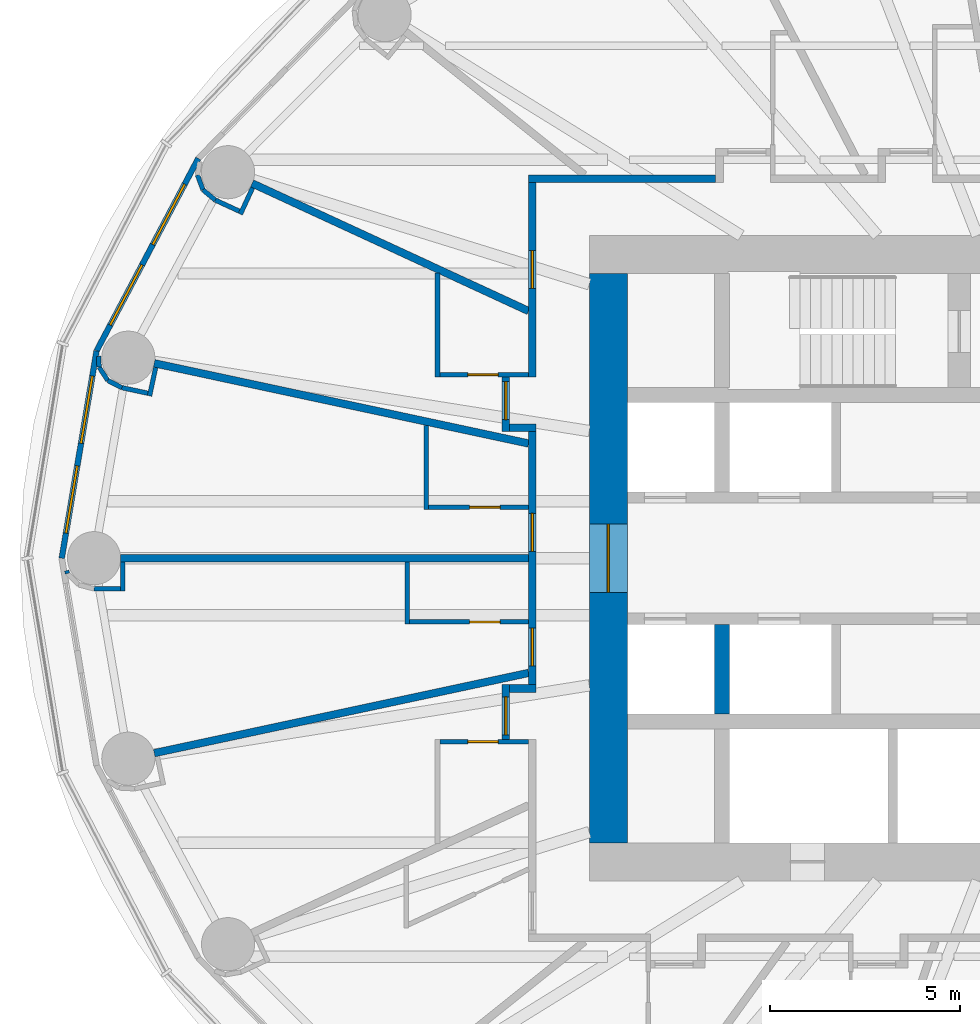
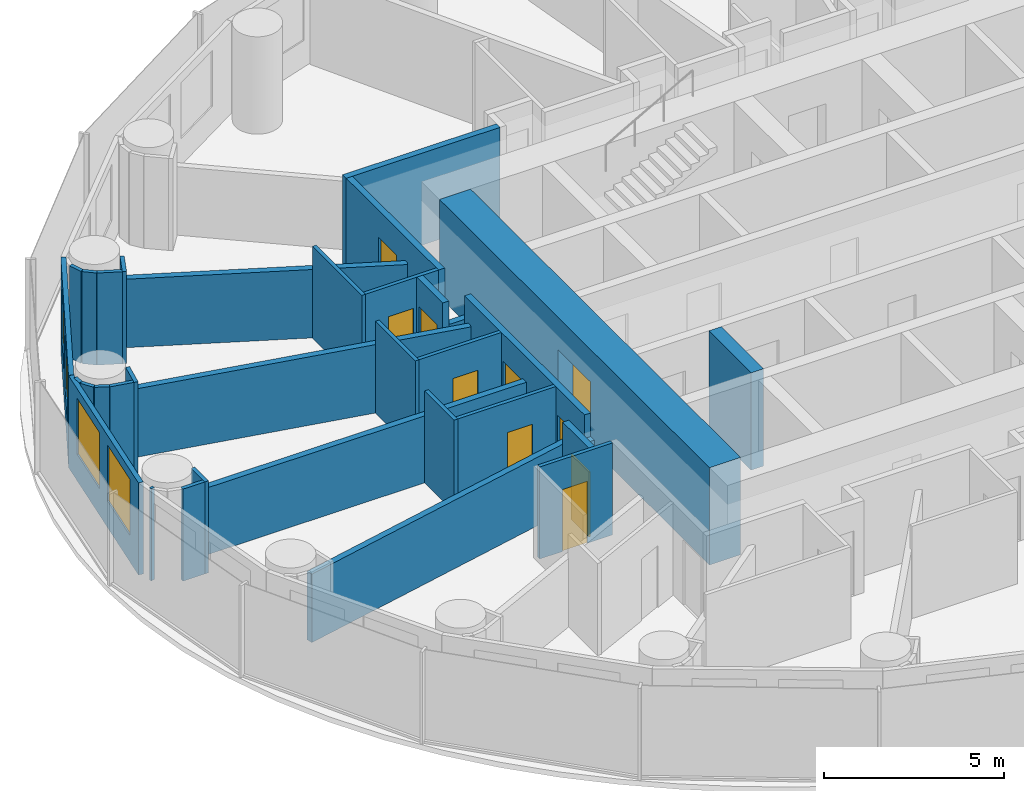
# One storey, part 8 of 14: 34 walls, 10 doors, 4 windows, 14 openings.
"""IFC4 building model written with IfcOpenShell, lengths in metres."""

from ifc_helpers import new_model, si_unit, direction, frame, frame_2d, origin, place, context, subcontext, project, spatial, rectangle, extrude, material, layer, layer_set, type_object, element, fill, save


model = new_model("IFC4")

# Units and contexts
model_context = context("Model", 3, precision=1e-05, world=origin(), true_north=direction((0.0, 1.0)))
body_context = subcontext(model_context, "Body", "Model", "MODEL_VIEW")
ifc_project = project(units=[si_unit("LENGTHUNIT", "METRE"), si_unit("AREAUNIT", "SQUARE_METRE"), si_unit("VOLUMEUNIT", "CUBIC_METRE"), si_unit("PLANEANGLEUNIT", "RADIAN"), si_unit("MASSUNIT", "GRAM", prefix="KILO")], contexts=[model_context])

# Site, building, storey
site_placement = place(None, origin())
site = spatial("IfcSite", under=ifc_project, at=site_placement, CompositionType="ELEMENT")
building_placement = place(site_placement, origin())
building = spatial("IfcBuilding", under=site, at=building_placement, Name="Hankou Lantern Tower", CompositionType="ELEMENT")
storey_placement = place(building_placement, frame((0.0, 0.0, 54.0)))
storey = spatial("IfcBuildingStorey", under=building, at=storey_placement, Name="L12", CompositionType="ELEMENT", Elevation=54.0)

# Wall, opening, door
ifc_material_1 = material(Name="Concrete C60", Category="concrete")
ifc_layer_1 = layer(ifc_material_1, 1.0)
ifc_layer_set_1 = layer_set([ifc_layer_1], Name="Concrete C60")
wall_type_1 = type_object("IfcWallType", Name="CW1 CORE WALL 1000", PredefinedType="SHEAR", material=ifc_layer_set_1)
wall_1_placement = place(storey_placement, frame((-12.0, 7.5, 0.0), z_axis=(0.0, 0.0, 1.0), x_axis=(0.0, -1.0, 0.0)))
wall_1 = element("IfcWall", 1, at=wall_1_placement, inside=storey, type_object=wall_type_1, Name="Core wall west L12", PredefinedType="SHEAR", context=body_context, shape_type="SweptSolid", body=[
    extrude(rectangle(XDim=15.0, YDim=1.0, at=frame_2d((7.5, 0.0))), origin(), (0.0, 0.0, 1.0), 3.300048828125),
])
opening_1_placement = place(wall_1_placement, frame((6.60009765625, 0.0, 0.0)))
opening_1 = element("IfcOpeningElement", 2, at=opening_1_placement, cuts=wall_1, Name="Opening D6", PredefinedType="OPENING", context=body_context, shape_type="SweptSolid", body=[
    extrude(rectangle(XDim=1.800048828125, YDim=2.199951171875, at=frame_2d((0.89990234375, 1.10009765625))), frame((0.0, 0.510009765625, 0.0), z_axis=(0.0, -1.0, 0.0), x_axis=(1.0, 0.0, 0.0)), (0.0, 0.0, 1.0), 1.02001953125),
])
ifc_material_2 = material(Name="Steel door leaf", Category="steel")
door_type_1 = type_object("IfcDoorType", Name="D6 LIFT LOBBY DOOR 1800X2200", OperationType="DOUBLE_DOOR_DOUBLE_SWING", PredefinedType="DOOR", material=ifc_material_2)
door_1_placement = place(opening_1_placement, origin())
door_1 = element("IfcDoor", 3, at=door_1_placement, inside=storey, type_object=door_type_1, Name="Lift lobby west door", OperationType="DOUBLE_DOOR_DOUBLE_SWING", OverallHeight=2.199951171875, OverallWidth=1.800048828125, PredefinedType="DOOR", context=body_context, shape_type="SweptSolid", body=[
    extrude(rectangle(XDim=1.800048828125, YDim=2.199951171875, at=frame_2d((0.89990234375, 1.10009765625))), frame((0.0, 0.02490234375, 0.0), z_axis=(0.0, -1.0, 0.0), x_axis=(1.0, 0.0, 0.0)), (0.0, 0.0, 1.0), 0.050048828125),
])
fill(opening_1, door_1)

# Wall
ifc_material_3 = material(Name="Concrete C60", Category="concrete")
ifc_layer_2 = layer(ifc_material_3, 0.39990234375)
ifc_layer_set_2 = layer_set([ifc_layer_2], Name="Concrete C60")
wall_type_2 = type_object("IfcWallType", Name="CW4 CORE CROSS WALL 400", PredefinedType="SHEAR", material=ifc_layer_set_2)
wall_2_placement = place(storey_placement, frame((-9.0, -4.10009765625, 0.0), z_axis=(0.0, 0.0, 1.0), x_axis=(0.0, 1.0, 0.0)))
element("IfcWall", 4, at=wall_2_placement, inside=storey, type_object=wall_type_2, Name="Core strip wall L12", PredefinedType="SHEAR", context=body_context, shape_type="SweptSolid", body=[
    extrude(rectangle(XDim=2.35009765625, YDim=0.39990234375, at=frame_2d((1.175048828125, 0.0))), origin(), (0.0, 0.0, 1.0), 3.300048828125),
])

# Wall, openings, windows
ifc_material_4 = material(Name="Aluminium spandrel panel on steel studs", Category="steel")
ifc_layer_3 = layer(ifc_material_4, 0.14990234375)
ifc_layer_set_3 = layer_set([ifc_layer_3], Name="Aluminium spandrel panel on steel studs")
wall_type_3 = type_object("IfcWallType", Name="EW1 INNER SKIN WALL 150", PredefinedType="ELEMENTEDWALL", material=ifc_layer_set_3)
wall_3_placement = place(storey_placement, frame((-22.802734375, 10.5322265625, 0.0), z_axis=(0.0, 0.0, 1.0), x_axis=(-0.467296867008, -0.884100468321, 0.0)))
wall_3 = element("IfcWall", 5, at=wall_3_placement, inside=storey, type_object=wall_type_3, Name="Inner skin R11-R12 L12", PredefinedType="ELEMENTEDWALL", context=body_context, shape_type="SweptSolid", body=[
    extrude(rectangle(XDim=5.734375, YDim=0.14990234375, at=frame_2d((2.8671875, 0.0))), origin(), (0.0, 0.0, 1.0), 3.1201171875),
])
opening_2_placement = place(wall_3_placement, frame((0.76708984375, 0.0, 0.89990234375)))
opening_2 = element("IfcOpeningElement", 6, at=opening_2_placement, cuts=wall_3, Name="Opening W1", PredefinedType="OPENING", context=body_context, shape_type="SweptSolid", body=[
    extrude(rectangle(XDim=1.800048828125, YDim=1.89990234375, at=frame_2d((0.89990234375, 0.949951171875))), frame((0.0, 0.0849609375, 0.0), z_axis=(0.0, -1.0, 0.0), x_axis=(1.0, 0.0, 0.0)), (0.0, 0.0, 1.0), 0.169921875),
])
opening_3_placement = place(wall_3_placement, frame((3.167236328125, 0.0, 0.89990234375)))
opening_3 = element("IfcOpeningElement", 7, at=opening_3_placement, cuts=wall_3, Name="Opening W1", PredefinedType="OPENING", context=body_context, shape_type="SweptSolid", body=[
    extrude(rectangle(XDim=1.800048828125, YDim=1.89990234375, at=frame_2d((0.89990234375, 0.949951171875))), frame((0.0, 0.0849609375, 0.0), z_axis=(0.0, -1.0, 0.0), x_axis=(1.0, 0.0, 0.0)), (0.0, 0.0, 1.0), 0.169921875),
])
ifc_material_5 = material(Name="Aluminium framed double glazed window", Category="aluminium")
window_type = type_object("IfcWindowType", Name="W1 GUEST ROOM WINDOW 1800X1900", PartitioningType="DOUBLE_PANEL_VERTICAL", PredefinedType="WINDOW", material=ifc_material_5)
window_1_placement = place(opening_2_placement, origin())
window_1 = element("IfcWindow", 8, at=window_1_placement, inside=storey, type_object=window_type, Name="Window R11.1 L12", OverallHeight=1.89990234375, OverallWidth=1.800048828125, PartitioningType="SINGLE_PANEL", PredefinedType="WINDOW", context=body_context, shape_type="SweptSolid", body=[
    extrude(rectangle(XDim=1.800048828125, YDim=1.89990234375, at=frame_2d((0.89990234375, 0.949951171875))), frame((0.0, 0.030029296875, 0.0), z_axis=(0.0, -1.0, 0.0), x_axis=(1.0, 0.0, 0.0)), (0.0, 0.0, 1.0), 0.06005859375),
])
fill(opening_2, window_1)
window_2_placement = place(opening_3_placement, origin())
window_2 = element("IfcWindow", 9, at=window_2_placement, inside=storey, type_object=window_type, Name="Window R11.2 L12", OverallHeight=1.89990234375, OverallWidth=1.800048828125, PartitioningType="SINGLE_PANEL", PredefinedType="WINDOW", context=body_context, shape_type="SweptSolid", body=[
    extrude(rectangle(XDim=1.800048828125, YDim=1.89990234375, at=frame_2d((0.89990234375, 0.949951171875))), frame((0.0, 0.030029296875, 0.0), z_axis=(0.0, -1.0, 0.0), x_axis=(1.0, 0.0, 0.0)), (0.0, 0.0, 1.0), 0.06005859375),
])
fill(opening_3, window_2)

wall_4_placement = place(storey_placement, frame((-25.482421875, 5.46240234375, 0.0), z_axis=(0.0, 0.0, 1.0), x_axis=(-0.165642551694, -0.986185857264, 0.0)))
wall_4 = element("IfcWall", 10, at=wall_4_placement, inside=storey, type_object=wall_type_3, Name="Inner skin R12-R13 L12", PredefinedType="ELEMENTEDWALL", context=body_context, shape_type="SweptSolid", body=[
    extrude(rectangle(XDim=5.538818359375, YDim=0.14990234375, at=frame_2d((2.76953125, 0.0))), origin(), (0.0, 0.0, 1.0), 3.1201171875),
])
opening_4_placement = place(wall_4_placement, frame((0.66943359375, 0.0, 0.89990234375)))
opening_4 = element("IfcOpeningElement", 11, at=opening_4_placement, cuts=wall_4, Name="Opening W1", PredefinedType="OPENING", context=body_context, shape_type="SweptSolid", body=[
    extrude(rectangle(XDim=1.800048828125, YDim=1.89990234375, at=frame_2d((0.89990234375, 0.949951171875))), frame((0.0, 0.0849609375, 0.0), z_axis=(0.0, -1.0, 0.0), x_axis=(1.0, 0.0, 0.0)), (0.0, 0.0, 1.0), 0.169921875),
])
opening_5_placement = place(wall_4_placement, frame((3.069580078125, 0.0, 0.89990234375)))
opening_5 = element("IfcOpeningElement", 12, at=opening_5_placement, cuts=wall_4, Name="Opening W1", PredefinedType="OPENING", context=body_context, shape_type="SweptSolid", body=[
    extrude(rectangle(XDim=1.800048828125, YDim=1.89990234375, at=frame_2d((0.89990234375, 0.949951171875))), frame((0.0, 0.0849609375, 0.0), z_axis=(0.0, -1.0, 0.0), x_axis=(1.0, 0.0, 0.0)), (0.0, 0.0, 1.0), 0.169921875),
])
window_3_placement = place(opening_4_placement, origin())
window_3 = element("IfcWindow", 13, at=window_3_placement, inside=storey, type_object=window_type, Name="Window R12.1 L12", OverallHeight=1.89990234375, OverallWidth=1.800048828125, PartitioningType="SINGLE_PANEL", PredefinedType="WINDOW", context=body_context, shape_type="SweptSolid", body=[
    extrude(rectangle(XDim=1.800048828125, YDim=1.89990234375, at=frame_2d((0.89990234375, 0.949951171875))), frame((0.0, 0.030029296875, 0.0), z_axis=(0.0, -1.0, 0.0), x_axis=(1.0, 0.0, 0.0)), (0.0, 0.0, 1.0), 0.06005859375),
])
fill(opening_4, window_3)
window_4_placement = place(opening_5_placement, origin())
window_4 = element("IfcWindow", 14, at=window_4_placement, inside=storey, type_object=window_type, Name="Window R12.2 L12", OverallHeight=1.89990234375, OverallWidth=1.800048828125, PartitioningType="SINGLE_PANEL", PredefinedType="WINDOW", context=body_context, shape_type="SweptSolid", body=[
    extrude(rectangle(XDim=1.800048828125, YDim=1.89990234375, at=frame_2d((0.89990234375, 0.949951171875))), frame((0.0, 0.030029296875, 0.0), z_axis=(0.0, -1.0, 0.0), x_axis=(1.0, 0.0, 0.0)), (0.0, 0.0, 1.0), 0.06005859375),
])
fill(opening_5, window_4)

# Walls
ifc_material_6 = material(Name="Masonry lightweight concrete block", Category="masonry")
ifc_layer_4 = layer(ifc_material_6, 0.199951171875)
ifc_layer_set_4 = layer_set([ifc_layer_4], Name="Masonry lightweight concrete block")
wall_type_4 = type_object("IfcWallType", Name="IW1 GUEST ROOM PARTY WALL 200", PredefinedType="PARTITIONING", material=ifc_layer_set_4)
wall_5_placement = place(storey_placement, frame((-14.10009765625, 3.0224609375, 0.0), z_axis=(0.0, 0.0, 1.0), x_axis=(-0.977790014929, 0.209586943072, 0.0)))
element("IfcWall", 15, at=wall_5_placement, inside=storey, type_object=wall_type_4, Name="Party wall R12", PredefinedType="PARTITIONING", context=body_context, shape_type="SweptSolid", body=[
    extrude(rectangle(XDim=10.086669921875, YDim=0.199951171875, at=frame_2d((5.04345703125, 0.0))), origin(), (0.0, 0.0, 1.0), 2.320068359375),
])
wall_6_placement = place(storey_placement, frame((-14.10009765625, 0.0, 0.0), z_axis=(0.0, 0.0, 1.0), x_axis=(-1.0, 0.0, 0.0)))
element("IfcWall", 16, at=wall_6_placement, inside=storey, type_object=wall_type_4, Name="Party wall R13", PredefinedType="PARTITIONING", context=body_context, shape_type="SweptSolid", body=[
    extrude(rectangle(XDim=10.75, YDim=0.199951171875, at=frame_2d((5.375, 0.0))), origin(), (0.0, 0.0, 1.0), 2.27001953125),
])
wall_7_placement = place(storey_placement, frame((-14.10009765625, -3.0224609375, 0.0), z_axis=(0.0, 0.0, 1.0), x_axis=(-0.977790014929, -0.209586943072, 0.0)))
element("IfcWall", 17, at=wall_7_placement, inside=storey, type_object=wall_type_4, Name="Party wall R14", PredefinedType="PARTITIONING", context=body_context, shape_type="SweptSolid", body=[
    extrude(rectangle(XDim=10.086669921875, YDim=0.199951171875, at=frame_2d((5.04345703125, 0.0))), origin(), (0.0, 0.0, 1.0), 2.320068359375),
])

# Wall, opening, door
ifc_material_7 = material(Name="Masonry lightweight concrete block", Category="masonry")
ifc_layer_5 = layer(ifc_material_7, 0.199951171875)
ifc_layer_set_5 = layer_set([ifc_layer_5], Name="Masonry lightweight concrete block")
wall_type_5 = type_object("IfcWallType", Name="IW2 CORRIDOR WALL 200", PredefinedType="PARTITIONING", material=ifc_layer_set_5)
wall_8_placement = place(storey_placement, frame((-14.699951171875, 4.7724609375, 0.0), z_axis=(0.0, 0.0, 1.0), x_axis=(0.0, -1.0, 0.0)))
wall_8 = element("IfcWall", 18, at=wall_8_placement, inside=storey, type_object=wall_type_5, Name="Corridor recess wall 1207 back", PredefinedType="PARTITIONING", context=body_context, shape_type="SweptSolid", body=[
    extrude(rectangle(XDim=1.43994140625, YDim=0.199951171875, at=frame_2d((0.719970703125, 0.0))), origin(), (0.0, 0.0, 1.0), 3.1201171875),
])
opening_6_placement = place(wall_8_placement, frame((0.1201171875, 0.0, 0.0)))
opening_6 = element("IfcOpeningElement", 19, at=opening_6_placement, cuts=wall_8, Name="Opening D1", PredefinedType="OPENING", context=body_context, shape_type="SweptSolid", body=[
    extrude(rectangle(XDim=1.0, YDim=2.199951171875, at=frame_2d((0.5, 1.10009765625))), frame((0.0, 0.10986328125, 0.0), z_axis=(0.0, -1.0, 0.0), x_axis=(1.0, 0.0, 0.0)), (0.0, 0.0, 1.0), 0.219970703125),
])
ifc_material_8 = material(Name="Steel door leaf", Category="steel")
door_type_2 = type_object("IfcDoorType", Name="D1 GUEST ROOM DOOR 1000X2200", OperationType="SINGLE_SWING_LEFT", PredefinedType="DOOR", material=ifc_material_8)
door_2_placement = place(opening_6_placement, origin())
door_2 = element("IfcDoor", 20, at=door_2_placement, inside=storey, type_object=door_type_2, Name="Guest room door 1207", OperationType="SINGLE_SWING_LEFT", OverallHeight=2.199951171875, OverallWidth=1.0, PredefinedType="DOOR", context=body_context, shape_type="SweptSolid", body=[
    extrude(rectangle(XDim=1.0, YDim=2.199951171875, at=frame_2d((0.5, 1.10009765625))), frame((0.0, 0.02490234375, 0.0), z_axis=(0.0, -1.0, 0.0), x_axis=(1.0, 0.0, 0.0)), (0.0, 0.0, 1.0), 0.050048828125),
])
fill(opening_6, door_2)

# Wall
wall_9_placement = place(storey_placement, frame((-13.89990234375, 3.4326171875, 0.0), z_axis=(0.0, 0.0, 1.0), x_axis=(-1.0, 0.0, 0.0)))
element("IfcWall", 21, at=wall_9_placement, inside=storey, type_object=wall_type_5, Name="Corridor recess wall 1207 side", PredefinedType="PARTITIONING", context=body_context, shape_type="SweptSolid", body=[
    extrude(rectangle(XDim=0.7001953125, YDim=0.199951171875, at=frame_2d((0.35009765625, 0.0))), origin(), (0.0, 0.0, 1.0), 2.320068359375),
])

# Wall, opening, door
wall_10_placement = place(storey_placement, frame((-14.699951171875, -3.33251953125, 0.0), z_axis=(0.0, 0.0, 1.0), x_axis=(0.0, -1.0, 0.0)))
wall_10 = element("IfcWall", 22, at=wall_10_placement, inside=storey, type_object=wall_type_5, Name="Corridor recess wall 1210 back", PredefinedType="PARTITIONING", context=body_context, shape_type="SweptSolid", body=[
    extrude(rectangle(XDim=1.43994140625, YDim=0.199951171875, at=frame_2d((0.719970703125, 0.0))), origin(), (0.0, 0.0, 1.0), 3.1201171875),
])
opening_7_placement = place(wall_10_placement, frame((0.320068359375, 0.0, 0.0)))
opening_7 = element("IfcOpeningElement", 23, at=opening_7_placement, cuts=wall_10, Name="Opening D1", PredefinedType="OPENING", context=body_context, shape_type="SweptSolid", body=[
    extrude(rectangle(XDim=1.0, YDim=2.199951171875, at=frame_2d((0.5, 1.10009765625))), frame((0.0, 0.10986328125, 0.0), z_axis=(0.0, -1.0, 0.0), x_axis=(1.0, 0.0, 0.0)), (0.0, 0.0, 1.0), 0.219970703125),
])
door_3_placement = place(opening_7_placement, origin())
door_3 = element("IfcDoor", 24, at=door_3_placement, inside=storey, type_object=door_type_2, Name="Guest room door 1210", OperationType="SINGLE_SWING_RIGHT", OverallHeight=2.199951171875, OverallWidth=1.0, PredefinedType="DOOR", context=body_context, shape_type="SweptSolid", body=[
    extrude(rectangle(XDim=1.0, YDim=2.199951171875, at=frame_2d((0.5, 1.10009765625))), frame((0.0, 0.02490234375, 0.0), z_axis=(0.0, -1.0, 0.0), x_axis=(1.0, 0.0, 0.0)), (0.0, 0.0, 1.0), 0.050048828125),
])
fill(opening_7, door_3)

# Walls
wall_11_placement = place(storey_placement, frame((-13.89990234375, -3.4326171875, 0.0), z_axis=(0.0, 0.0, 1.0), x_axis=(-1.0, 0.0, 0.0)))
element("IfcWall", 25, at=wall_11_placement, inside=storey, type_object=wall_type_5, Name="Corridor recess wall 1210 side", PredefinedType="PARTITIONING", context=body_context, shape_type="SweptSolid", body=[
    extrude(rectangle(XDim=0.7001953125, YDim=0.199951171875, at=frame_2d((0.35009765625, 0.0))), origin(), (0.0, 0.0, 1.0), 2.320068359375),
])
wall_12_placement = place(storey_placement, frame((-14.10009765625, 10.0, 0.0), z_axis=(0.0, 0.0, 1.0), x_axis=(1.0, 0.0, 0.0)))
element("IfcWall", 26, at=wall_12_placement, inside=storey, type_object=wall_type_5, Name="Corridor wall north", PredefinedType="PARTITIONING", context=body_context, shape_type="SweptSolid", body=[
    extrude(rectangle(XDim=4.931396484375, YDim=0.199951171875, at=frame_2d((2.4658203125, 0.0))), origin(), (0.0, 0.0, 1.0), 3.1201171875),
])

# Wall, opening, door
wall_13_placement = place(storey_placement, frame((-14.0, 9.89990234375, 0.0), z_axis=(0.0, 0.0, 1.0), x_axis=(0.0, -1.0, 0.0)))
wall_13 = element("IfcWall", 27, at=wall_13_placement, inside=storey, type_object=wall_type_5, Name="Corridor wall west", PredefinedType="PARTITIONING", context=body_context, shape_type="SweptSolid", body=[
    extrude(rectangle(XDim=5.12744140625, YDim=0.199951171875, at=frame_2d((2.563720703125, 0.0))), origin(), (0.0, 0.0, 1.0), 3.1201171875),
])
opening_8_placement = place(wall_13_placement, frame((1.79248046875, 0.0, 0.0)))
opening_8 = element("IfcOpeningElement", 28, at=opening_8_placement, cuts=wall_13, Name="Opening D28", PredefinedType="OPENING", context=body_context, shape_type="SweptSolid", body=[
    extrude(rectangle(XDim=1.0, YDim=2.199951171875, at=frame_2d((0.5, 1.10009765625))), frame((0.0, 0.10986328125, 0.0), z_axis=(0.0, -1.0, 0.0), x_axis=(1.0, 0.0, 0.0)), (0.0, 0.0, 1.0), 0.219970703125),
])
ifc_material_9 = material(Name="Steel door leaf", Category="steel")
door_type_3 = type_object("IfcDoorType", Name="D28 SERVICE DOOR 1000X2200", OperationType="SINGLE_SWING_LEFT", PredefinedType="DOOR", material=ifc_material_9)
door_4_placement = place(opening_8_placement, origin())
door_4 = element("IfcDoor", 29, at=door_4_placement, inside=storey, type_object=door_type_3, Name="Service door 1206", OperationType="SINGLE_SWING_LEFT", OverallHeight=2.199951171875, OverallWidth=1.0, PredefinedType="DOOR", context=body_context, shape_type="SweptSolid", body=[
    extrude(rectangle(XDim=1.0, YDim=2.199951171875, at=frame_2d((0.5, 1.10009765625))), frame((0.0, 0.02490234375, 0.0), z_axis=(0.0, -1.0, 0.0), x_axis=(1.0, 0.0, 0.0)), (0.0, 0.0, 1.0), 0.050048828125),
])
fill(opening_8, door_4)

# Wall, openings, doors
wall_14_placement = place(storey_placement, frame((-14.0, 3.33251953125, 0.0), z_axis=(0.0, 0.0, 1.0), x_axis=(0.0, -1.0, 0.0)))
wall_14 = element("IfcWall", 30, at=wall_14_placement, inside=storey, type_object=wall_type_5, Name="Corridor wall west", PredefinedType="PARTITIONING", context=body_context, shape_type="SweptSolid", body=[
    extrude(rectangle(XDim=6.6650390625, YDim=0.199951171875, at=frame_2d((3.33251953125, 0.0))), origin(), (0.0, 0.0, 1.0), 3.1201171875),
])
opening_9_placement = place(wall_14_placement, frame((2.14990234375, 0.0, 0.0)))
opening_9 = element("IfcOpeningElement", 31, at=opening_9_placement, cuts=wall_14, Name="Opening D1", PredefinedType="OPENING", context=body_context, shape_type="SweptSolid", body=[
    extrude(rectangle(XDim=1.0, YDim=2.199951171875, at=frame_2d((0.5, 1.10009765625))), frame((0.0, 0.10986328125, 0.0), z_axis=(0.0, -1.0, 0.0), x_axis=(1.0, 0.0, 0.0)), (0.0, 0.0, 1.0), 0.219970703125),
])
opening_10_placement = place(wall_14_placement, frame((5.172607421875, 0.0, 0.0)))
opening_10 = element("IfcOpeningElement", 32, at=opening_10_placement, cuts=wall_14, Name="Opening D1", PredefinedType="OPENING", context=body_context, shape_type="SweptSolid", body=[
    extrude(rectangle(XDim=1.0, YDim=2.199951171875, at=frame_2d((0.5, 1.10009765625))), frame((0.0, 0.10986328125, 0.0), z_axis=(0.0, -1.0, 0.0), x_axis=(1.0, 0.0, 0.0)), (0.0, 0.0, 1.0), 0.219970703125),
])
door_5_placement = place(opening_9_placement, origin())
door_5 = element("IfcDoor", 33, at=door_5_placement, inside=storey, type_object=door_type_2, Name="Guest room door 1208", OperationType="SINGLE_SWING_LEFT", OverallHeight=2.199951171875, OverallWidth=1.0, PredefinedType="DOOR", context=body_context, shape_type="SweptSolid", body=[
    extrude(rectangle(XDim=1.0, YDim=2.199951171875, at=frame_2d((0.5, 1.10009765625))), frame((0.0, 0.02490234375, 0.0), z_axis=(0.0, -1.0, 0.0), x_axis=(1.0, 0.0, 0.0)), (0.0, 0.0, 1.0), 0.050048828125),
])
fill(opening_9, door_5)
door_6_placement = place(opening_10_placement, origin())
door_6 = element("IfcDoor", 34, at=door_6_placement, inside=storey, type_object=door_type_2, Name="Guest room door 1209", OperationType="SINGLE_SWING_RIGHT", OverallHeight=2.199951171875, OverallWidth=1.0, PredefinedType="DOOR", context=body_context, shape_type="SweptSolid", body=[
    extrude(rectangle(XDim=1.0, YDim=2.199951171875, at=frame_2d((0.5, 1.10009765625))), frame((0.0, 0.02490234375, 0.0), z_axis=(0.0, -1.0, 0.0), x_axis=(1.0, 0.0, 0.0)), (0.0, 0.0, 1.0), 0.050048828125),
])
fill(opening_10, door_6)

# Wall
ifc_material_10 = material(Name="Masonry lightweight concrete block", Category="masonry")
ifc_layer_6 = layer(ifc_material_10, 0.1201171875)
ifc_layer_set_6 = layer_set([ifc_layer_6], Name="Masonry lightweight concrete block")
wall_type_6 = type_object("IfcWallType", Name="IW3 BATHROOM WALL 120", PredefinedType="PARTITIONING", material=ifc_layer_set_6)
wall_15_placement = place(storey_placement, frame((-16.5, 7.52099609375, 0.0), z_axis=(0.0, 0.0, 1.0), x_axis=(0.0, -1.0, 0.0)))
element("IfcWall", 35, at=wall_15_placement, inside=storey, type_object=wall_type_6, Name="Box wall 1207 1", PredefinedType="PARTITIONING", context=body_context, shape_type="SweptSolid", body=[
    extrude(rectangle(XDim=2.74853515625, YDim=0.1201171875, at=frame_2d((1.374267578125, 0.0))), origin(), (0.0, 0.0, 1.0), 3.1201171875),
])

# Wall, opening, door
wall_16_placement = place(storey_placement, frame((-14.10009765625, 4.83251953125, 0.0), z_axis=(0.0, 0.0, 1.0), x_axis=(-1.0, 0.0, 0.0)))
wall_16 = element("IfcWall", 36, at=wall_16_placement, inside=storey, type_object=wall_type_6, Name="Box wall 1207 1", PredefinedType="PARTITIONING", context=body_context, shape_type="SweptSolid", body=[
    extrude(rectangle(XDim=2.33984375, YDim=0.1201171875, at=frame_2d((1.169921875, 0.0))), origin(), (0.0, 0.0, 1.0), 3.1201171875),
])
opening_11_placement = place(wall_16_placement, frame((0.800048828125, 0.0, 0.0)))
opening_11 = element("IfcOpeningElement", 37, at=opening_11_placement, cuts=wall_16, Name="Opening D3", PredefinedType="OPENING", context=body_context, shape_type="SweptSolid", body=[
    extrude(rectangle(XDim=0.800048828125, YDim=2.10009765625, at=frame_2d((0.39990234375, 1.050048828125))), frame((0.0, 0.070068359375, 0.0), z_axis=(0.0, -1.0, 0.0), x_axis=(1.0, 0.0, 0.0)), (0.0, 0.0, 1.0), 0.14013671875),
])
ifc_material_11 = material(Name="Timber door leaf", Category="wood")
door_type_4 = type_object("IfcDoorType", Name="D3 BATHROOM DOOR 800X2100", OperationType="SINGLE_SWING_LEFT", PredefinedType="DOOR", material=ifc_material_11)
door_7_placement = place(opening_11_placement, origin())
door_7 = element("IfcDoor", 38, at=door_7_placement, inside=storey, type_object=door_type_4, Name="En-suite bathroom 1207 door", OperationType="SINGLE_SWING_LEFT", OverallHeight=2.10009765625, OverallWidth=0.800048828125, PredefinedType="DOOR", context=body_context, shape_type="SweptSolid", body=[
    extrude(rectangle(XDim=0.800048828125, YDim=2.10009765625, at=frame_2d((0.39990234375, 1.050048828125))), frame((0.0, 0.02490234375, 0.0), z_axis=(0.0, -1.0, 0.0), x_axis=(1.0, 0.0, 0.0)), (0.0, 0.0, 1.0), 0.050048828125),
])
fill(opening_11, door_7)

# Wall
wall_17_placement = place(storey_placement, frame((-16.800048828125, 3.501220703125, 0.0), z_axis=(0.0, 0.0, 1.0), x_axis=(0.0, -1.0, 0.0)))
element("IfcWall", 39, at=wall_17_placement, inside=storey, type_object=wall_type_6, Name="Box wall 1208 1", PredefinedType="PARTITIONING", context=body_context, shape_type="SweptSolid", body=[
    extrude(rectangle(XDim=2.21875, YDim=0.1201171875, at=frame_2d((1.109375, 0.0))), origin(), (0.0, 0.0, 1.0), 3.1201171875),
])

# Wall, opening, door
wall_18_placement = place(storey_placement, frame((-14.10009765625, 1.342529296875, 0.0), z_axis=(0.0, 0.0, 1.0), x_axis=(-1.0, 0.0, 0.0)))
wall_18 = element("IfcWall", 40, at=wall_18_placement, inside=storey, type_object=wall_type_6, Name="Box wall 1208 1", PredefinedType="PARTITIONING", context=body_context, shape_type="SweptSolid", body=[
    extrude(rectangle(XDim=2.639892578125, YDim=0.1201171875, at=frame_2d((1.31982421875, 0.0))), origin(), (0.0, 0.0, 1.0), 3.1201171875),
])
opening_12_placement = place(wall_18_placement, frame((0.75, 0.0, 0.0)))
opening_12 = element("IfcOpeningElement", 41, at=opening_12_placement, cuts=wall_18, Name="Opening D3", PredefinedType="OPENING", context=body_context, shape_type="SweptSolid", body=[
    extrude(rectangle(XDim=0.800048828125, YDim=2.10009765625, at=frame_2d((0.39990234375, 1.050048828125))), frame((0.0, 0.070068359375, 0.0), z_axis=(0.0, -1.0, 0.0), x_axis=(1.0, 0.0, 0.0)), (0.0, 0.0, 1.0), 0.14013671875),
])
door_8_placement = place(opening_12_placement, origin())
door_8 = element("IfcDoor", 42, at=door_8_placement, inside=storey, type_object=door_type_4, Name="En-suite bathroom 1208 door", OperationType="SINGLE_SWING_LEFT", OverallHeight=2.10009765625, OverallWidth=0.800048828125, PredefinedType="DOOR", context=body_context, shape_type="SweptSolid", body=[
    extrude(rectangle(XDim=0.800048828125, YDim=2.10009765625, at=frame_2d((0.39990234375, 1.050048828125))), frame((0.0, 0.02490234375, 0.0), z_axis=(0.0, -1.0, 0.0), x_axis=(1.0, 0.0, 0.0)), (0.0, 0.0, 1.0), 0.050048828125),
])
fill(opening_12, door_8)

# Wall
wall_19_placement = place(storey_placement, frame((-17.300048828125, -0.10009765625, 0.0), z_axis=(0.0, 0.0, 1.0), x_axis=(0.0, -1.0, 0.0)))
element("IfcWall", 43, at=wall_19_placement, inside=storey, type_object=wall_type_6, Name="Box wall 1209 1", PredefinedType="PARTITIONING", context=body_context, shape_type="SweptSolid", body=[
    extrude(rectangle(XDim=1.639892578125, YDim=0.1201171875, at=frame_2d((0.81982421875, 0.0))), origin(), (0.0, 0.0, 1.0), 3.1201171875),
])

# Wall, opening, door
wall_20_placement = place(storey_placement, frame((-14.10009765625, -1.679931640625, 0.0), z_axis=(0.0, 0.0, 1.0), x_axis=(-1.0, 0.0, 0.0)))
wall_20 = element("IfcWall", 44, at=wall_20_placement, inside=storey, type_object=wall_type_6, Name="Box wall 1209 1", PredefinedType="PARTITIONING", context=body_context, shape_type="SweptSolid", body=[
    extrude(rectangle(XDim=3.139892578125, YDim=0.1201171875, at=frame_2d((1.56982421875, 0.0))), origin(), (0.0, 0.0, 1.0), 3.1201171875),
])
opening_13_placement = place(wall_20_placement, frame((0.75, 0.0, 0.0)))
opening_13 = element("IfcOpeningElement", 45, at=opening_13_placement, cuts=wall_20, Name="Opening D3", PredefinedType="OPENING", context=body_context, shape_type="SweptSolid", body=[
    extrude(rectangle(XDim=0.800048828125, YDim=2.10009765625, at=frame_2d((0.39990234375, 1.050048828125))), frame((0.0, 0.070068359375, 0.0), z_axis=(0.0, -1.0, 0.0), x_axis=(1.0, 0.0, 0.0)), (0.0, 0.0, 1.0), 0.14013671875),
])
door_9_placement = place(opening_13_placement, origin())
door_9 = element("IfcDoor", 46, at=door_9_placement, inside=storey, type_object=door_type_4, Name="En-suite bathroom 1209 door", OperationType="SINGLE_SWING_LEFT", OverallHeight=2.10009765625, OverallWidth=0.800048828125, PredefinedType="DOOR", context=body_context, shape_type="SweptSolid", body=[
    extrude(rectangle(XDim=0.800048828125, YDim=2.10009765625, at=frame_2d((0.39990234375, 1.050048828125))), frame((0.0, 0.02490234375, 0.0), z_axis=(0.0, -1.0, 0.0), x_axis=(1.0, 0.0, 0.0)), (0.0, 0.0, 1.0), 0.050048828125),
])
fill(opening_13, door_9)

wall_21_placement = place(storey_placement, frame((-14.10009765625, -4.83251953125, 0.0), z_axis=(0.0, 0.0, 1.0), x_axis=(-1.0, 0.0, 0.0)))
wall_21 = element("IfcWall", 47, at=wall_21_placement, inside=storey, type_object=wall_type_6, Name="Box wall 1210 1", PredefinedType="PARTITIONING", context=body_context, shape_type="SweptSolid", body=[
    extrude(rectangle(XDim=2.33984375, YDim=0.1201171875, at=frame_2d((1.169921875, 0.0))), origin(), (0.0, 0.0, 1.0), 3.1201171875),
])
opening_14_placement = place(wall_21_placement, frame((0.800048828125, 0.0, 0.0)))
opening_14 = element("IfcOpeningElement", 48, at=opening_14_placement, cuts=wall_21, Name="Opening D3", PredefinedType="OPENING", context=body_context, shape_type="SweptSolid", body=[
    extrude(rectangle(XDim=0.800048828125, YDim=2.10009765625, at=frame_2d((0.39990234375, 1.050048828125))), frame((0.0, 0.070068359375, 0.0), z_axis=(0.0, -1.0, 0.0), x_axis=(1.0, 0.0, 0.0)), (0.0, 0.0, 1.0), 0.14013671875),
])
door_10_placement = place(opening_14_placement, origin())
door_10 = element("IfcDoor", 49, at=door_10_placement, inside=storey, type_object=door_type_4, Name="En-suite bathroom 1210 door", OperationType="SINGLE_SWING_RIGHT", OverallHeight=2.10009765625, OverallWidth=0.800048828125, PredefinedType="DOOR", context=body_context, shape_type="SweptSolid", body=[
    extrude(rectangle(XDim=0.800048828125, YDim=2.10009765625, at=frame_2d((0.39990234375, 1.050048828125))), frame((0.0, 0.02490234375, 0.0), z_axis=(0.0, -1.0, 0.0), x_axis=(1.0, 0.0, 0.0)), (0.0, 0.0, 1.0), 0.050048828125),
])
fill(opening_14, door_10)

# Walls
ifc_material_12 = material(Name="Masonry lightweight concrete block", Category="masonry")
ifc_layer_7 = layer(ifc_material_12, 0.1201171875)
ifc_layer_set_7 = layer_set([ifc_layer_7], Name="Masonry lightweight concrete block")
wall_type_7 = type_object("IfcWallType", Name="IW4 PARTITION 120", PredefinedType="PARTITIONING", material=ifc_layer_set_7)
wall_22_placement = place(storey_placement, frame((-21.37109375, 9.7607421875, 0.0), z_axis=(0.0, 0.0, 1.0), x_axis=(-0.419259891039, -0.907866258744, 0.0)))
element("IfcWall", 50, at=wall_22_placement, inside=storey, type_object=wall_type_7, Name="Column casing R11 return", PredefinedType="PARTITIONING", context=body_context, shape_type="SweptSolid", body=[
    extrude(rectangle(XDim=0.767578125, YDim=0.1201171875, at=frame_2d((0.3837890625, 0.0))), origin(), (0.0, 0.0, 1.0), 3.1201171875),
])
wall_23_placement = place(storey_placement, frame((-21.72216796875, 9.1435546875, 0.0), z_axis=(0.0, 0.0, 1.0), x_axis=(-0.907877701396, 0.419235112208, 0.0)))
element("IfcWall", 51, at=wall_23_placement, inside=storey, type_object=wall_type_7, Name="Column casing R11", PredefinedType="PARTITIONING", context=body_context, shape_type="SweptSolid", body=[
    extrude(rectangle(XDim=0.699951171875, YDim=0.1201171875, at=frame_2d((0.35009765625, 0.0))), origin(), (0.0, 0.0, 1.0), 3.1201171875),
])
wall_24_placement = place(storey_placement, frame((-22.357666015625, 9.43701171875, 0.0), z_axis=(0.0, 0.0, 1.0), x_axis=(-0.768412687942, 0.639954639806, 0.0)))
element("IfcWall", 52, at=wall_24_placement, inside=storey, type_object=wall_type_7, Name="Column casing R11", PredefinedType="PARTITIONING", context=body_context, shape_type="SweptSolid", body=[
    extrude(rectangle(XDim=0.418212890625, YDim=0.1201171875, at=frame_2d((0.208984375, 0.0))), origin(), (0.0, 0.0, 1.0), 3.1201171875),
])
wall_25_placement = place(storey_placement, frame((-22.678955078125, 9.70458984375, 0.0), z_axis=(0.0, 0.0, 1.0), x_axis=(-0.345164001646, 0.938542386879, 0.0)))
element("IfcWall", 53, at=wall_25_placement, inside=storey, type_object=wall_type_7, Name="Column casing R11", PredefinedType="PARTITIONING", context=body_context, shape_type="SweptSolid", body=[
    extrude(rectangle(XDim=0.41796875, YDim=0.1201171875, at=frame_2d((0.208984375, 0.0))), origin(), (0.0, 0.0, 1.0), 3.1201171875),
])
wall_26_placement = place(storey_placement, frame((-23.9248046875, 5.026123046875, 0.0), z_axis=(0.0, 0.0, 1.0), x_axis=(-0.209681192172, -0.977769808109, 0.0)))
element("IfcWall", 54, at=wall_26_placement, inside=storey, type_object=wall_type_7, Name="Column casing R12 return", PredefinedType="PARTITIONING", context=body_context, shape_type="SweptSolid", body=[
    extrude(rectangle(XDim=0.767333984375, YDim=0.1201171875, at=frame_2d((0.3837890625, 0.0))), origin(), (0.0, 0.0, 1.0), 3.1201171875),
])
wall_27_placement = place(storey_placement, frame((-24.1318359375, 4.346923828125, 0.0), z_axis=(0.0, 0.0, 1.0), x_axis=(-0.977776882509, 0.209648200638, 0.0)))
element("IfcWall", 55, at=wall_27_placement, inside=storey, type_object=wall_type_7, Name="Column casing R12", PredefinedType="PARTITIONING", context=body_context, shape_type="SweptSolid", body=[
    extrude(rectangle(XDim=0.699951171875, YDim=0.1201171875, at=frame_2d((0.35009765625, 0.0))), origin(), (0.0, 0.0, 1.0), 3.1201171875),
])
for number, where, z_axis, x_axis, name in (
    (56, (-24.816162109375, 4.49365234375, 0.0), (0.0, 0.0, 1.0), (-0.890303208847, 0.455368198623, 0.0), "Column casing R12"),
    (57, (-25.1884765625, 4.68408203125, 0.0), (0.0, 0.0, 1.0), (-0.543057568894, 0.839695466742, 0.0), "Column casing R12"),
):
    element("IfcWall", number, at=place(storey_placement, frame(where, z_axis=z_axis, x_axis=x_axis)), inside=storey, type_object=wall_type_7, Name=name, PredefinedType="PARTITIONING", context=body_context, shape_type="SweptSolid", body=[
        extrude(rectangle(XDim=0.418212890625, YDim=0.1201171875, at=frame_2d((0.208984375, 0.0))), origin(), (0.0, 0.0, 1.0), 3.1201171875),
    ])
wall_28_placement = place(storey_placement, frame((-25.41552734375, 5.03515625, 0.0), z_axis=(0.0, 0.0, 1.0), x_axis=(-0.050406329159, 0.998728793007, 0.0)))
element("IfcWall", 58, at=wall_28_placement, inside=storey, type_object=wall_type_7, Name="Column casing R12", PredefinedType="PARTITIONING", context=body_context, shape_type="SweptSolid", body=[
    extrude(rectangle(XDim=0.28564453125, YDim=0.1201171875, at=frame_2d((0.142822265625, 0.0))), origin(), (0.0, 0.0, 1.0), 3.1201171875),
])
wall_29_placement = place(storey_placement, frame((-24.7900390625, -0.10009765625, 0.0), z_axis=(0.0, 0.0, 1.0), x_axis=(0.0, -1.0, 0.0)))
element("IfcWall", 59, at=wall_29_placement, inside=storey, type_object=wall_type_7, Name="Column casing R13 return", PredefinedType="PARTITIONING", context=body_context, shape_type="SweptSolid", body=[
    extrude(rectangle(XDim=0.767333984375, YDim=0.1201171875, at=frame_2d((0.3837890625, 0.0))), origin(), (0.0, 0.0, 1.0), 3.1201171875),
])
wall_30_placement = place(storey_placement, frame((-24.85009765625, -0.8076171875, 0.0), z_axis=(0.0, 0.0, 1.0), x_axis=(-1.0, 0.0, 0.0)))
element("IfcWall", 60, at=wall_30_placement, inside=storey, type_object=wall_type_7, Name="Column casing R13", PredefinedType="PARTITIONING", context=body_context, shape_type="SweptSolid", body=[
    extrude(rectangle(XDim=0.699951171875, YDim=0.1201171875, at=frame_2d((0.35009765625, 0.0))), origin(), (0.0, 0.0, 1.0), 3.1201171875),
])
wall_31_placement = place(storey_placement, frame((-26.249267578125, -0.40380859375, 0.0), z_axis=(0.0, 0.0, 1.0), x_axis=(-0.259754282609, 0.965674744759, 0.0)))
element("IfcWall", 61, at=wall_31_placement, inside=storey, type_object=wall_type_7, Name="Column casing R13", PredefinedType="PARTITIONING", context=body_context, shape_type="SweptSolid", body=[
    extrude(rectangle(XDim=0.079833984375, YDim=0.1201171875, at=frame_2d((0.0400390625, 0.0))), origin(), (0.0, 0.0, 1.0), 3.1201171875),
])
ifc_material_13 = material(Name="Masonry lightweight concrete block", Category="masonry")
ifc_layer_8 = layer(ifc_material_13, 0.199951171875)
ifc_layer_set_8 = layer_set([ifc_layer_8], Name="Masonry lightweight concrete block")
wall_type_8 = type_object("IfcWallType", Name="IW8 PARTITION 200", PredefinedType="PARTITIONING", material=ifc_layer_set_8)
wall_32_placement = place(storey_placement, frame((-14.10009765625, 6.512451171875, 0.0), z_axis=(0.0, 0.0, 1.0), x_axis=(-0.907832871056, 0.419332181247, 0.0)))
element("IfcWall", 62, at=wall_32_placement, inside=storey, type_object=wall_type_8, Name="Partition R11", PredefinedType="PARTITIONING", context=body_context, shape_type="SweptSolid", body=[
    extrude(rectangle(XDim=8.02294921875, YDim=0.199951171875, at=frame_2d((4.011474609375, 0.0))), origin(), (0.0, 0.0, 1.0), 2.320068359375),
])

save(model, "model.ifc")
